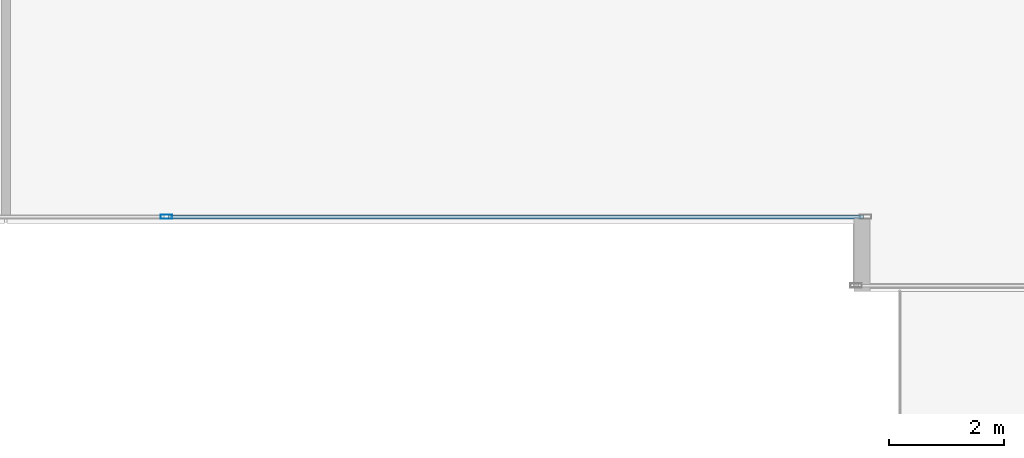
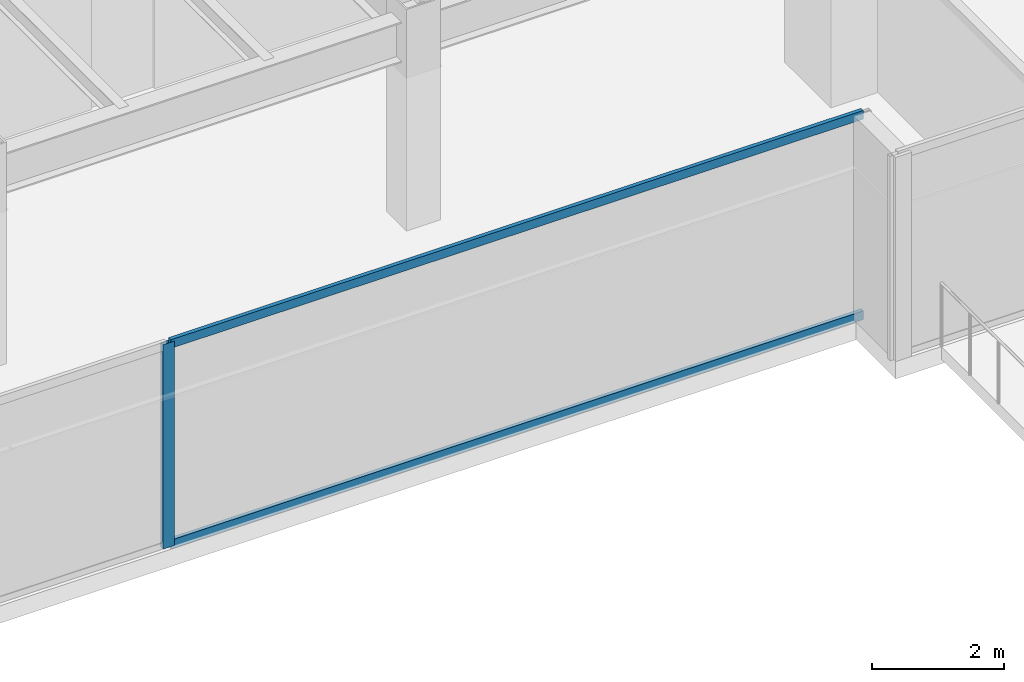
# One storey, part 8 of 32: 3 members, 1 element without a shape of its own.
"""IFC4 building model written with IfcOpenShell, lengths in metres."""

import ifcopenshell
import ifcopenshell.guid

model = None  # the IFC model being written
_history = None  # IfcOwnerHistory: only IFC2X3 demands one
_inside = {}  # id of a spatial element -> (the spatial element, [elements in it])
_under = {}  # id of a project, library or spatial element -> (it, [spatial elements below it])
_declared = {}  # id of a project -> (the project, [libraries it declares])
_typed = {}  # id of a type object -> (the type object, [elements of that type])
_made_of = {}  # id of a material, layer set ... -> (it, [elements and type objects made of it])


def new_model(schema):
    """Start an empty IFC model of exactly this schema.

    Asked for "IFC4X3", IfcOpenShell would pick the latest addendum, in which some entities
    have other attributes; the version numbers below select the first issue.
    IFC2X3 requires an IfcOwnerHistory on every rooted entity: one is made here for all.
    """
    global model, _history
    if schema == "IFC4X3":
        model = ifcopenshell.file(schema_version=(4, 3, 0, 0))
    else:
        model = ifcopenshell.file(schema=schema)
    _inside.clear()
    _under.clear()
    _declared.clear()
    _typed.clear()
    _made_of.clear()
    _history = None
    if model.schema == "IFC2X3":
        org = make("IfcOrganization", Name="unknown")
        user = make(
            "IfcPersonAndOrganization",
            ThePerson=make("IfcPerson", FamilyName="unknown"),
            TheOrganization=org,
        )
        app = make(
            "IfcApplication",
            ApplicationDeveloper=org,
            Version="unknown",
            ApplicationFullName="unknown",
            ApplicationIdentifier="unknown",
        )
        _history = make(
            "IfcOwnerHistory",
            OwningUser=user,
            OwningApplication=app,
            ChangeAction="ADDED",
            CreationDate=0,
        )
    return model


def make(cls, **values):
    """One entity of the class cls with the attributes given. An attribute that is None is left unset."""
    return model.create_entity(
        cls, **{name: value for name, value in values.items() if value is not None}
    )


def rooted(cls, **values):
    """An entity with a GlobalId (a new one), such as an element, a storey or a relation."""
    return make(cls, GlobalId=ifcopenshell.guid.new(), OwnerHistory=_history, **values)


def si_unit(unit_type, name, prefix=None):
    """IfcSIUnit, for example si_unit("LENGTHUNIT", "METRE", prefix="MILLI")."""
    return make("IfcSIUnit", UnitType=unit_type, Prefix=prefix, Name=name)


def assignment(units):
    """IfcUnitAssignment: the units of a project."""
    return None if units is None else make("IfcUnitAssignment", Units=units)


def point(xyz):
    """IfcCartesianPoint."""
    return None if xyz is None else make("IfcCartesianPoint", Coordinates=xyz)


def direction(xyz):
    """IfcDirection."""
    return None if xyz is None else make("IfcDirection", DirectionRatios=xyz)


def frame(location, z_axis=None, x_axis=None):
    """IfcAxis2Placement3D, a coordinate frame: its origin and axes. An axis left out is left unset."""
    return make(
        "IfcAxis2Placement3D",
        Location=point(location),
        Axis=direction(z_axis),
        RefDirection=direction(x_axis),
    )


def frame_2d(location, x_axis=None):
    """IfcAxis2Placement2D, a coordinate frame in the plane: its origin and x axis."""
    return make(
        "IfcAxis2Placement2D", Location=point(location), RefDirection=direction(x_axis)
    )


def origin():
    """The frame at (0, 0, 0) with its axes left unset."""
    return frame((0.0, 0.0, 0.0))


def origin_2d():
    """The frame at (0, 0) in the plane with its x axis left unset."""
    return frame_2d((0.0, 0.0))


def place(relative_to, where):
    """IfcLocalPlacement: puts the frame where relative to a parent placement (None: the world)."""
    return make(
        "IfcLocalPlacement", PlacementRelTo=relative_to, RelativePlacement=where
    )


def context(
    kind, dimensions, precision=None, world=None, true_north=None, identifier=None
):
    """IfcGeometricRepresentationContext, for example the 3D "Model" context."""
    return make(
        "IfcGeometricRepresentationContext",
        ContextIdentifier=identifier,
        ContextType=kind,
        CoordinateSpaceDimension=dimensions,
        Precision=precision,
        WorldCoordinateSystem=world,
        TrueNorth=true_north,
    )


def subcontext(parent, identifier, kind, view, scale=None):
    """IfcGeometricRepresentationSubContext, for example "Body" below "Model"."""
    return make(
        "IfcGeometricRepresentationSubContext",
        ContextIdentifier=identifier,
        ContextType=kind,
        ParentContext=parent,
        TargetScale=scale,
        TargetView=view,
    )


def project(units=None, contexts=None):
    """IfcProject with its units and contexts."""
    return rooted(
        "IfcProject",
        Name="project",
        RepresentationContexts=contexts,
        UnitsInContext=assignment(units),
    )


def spatial(cls, under=None, at=None, **own):
    """A site, building, storey or space (cls), placed at a placement, below another one or the project."""
    s = rooted(cls, ObjectPlacement=at, **own)
    if under is not None:
        _under.setdefault(under.id(), (under, []))[1].append(s)
    return s


def profile(cls, at=None, kind="AREA", **sizes):
    """A parametric profile (cls). Its sizes go by their IFC names, for example OverallWidth=200.0."""
    return make(cls, ProfileType=kind, Position=at, **sizes)


def hollow_rectangle(**sizes):
    """IfcRectangleHollowProfileDef."""
    return profile("IfcRectangleHollowProfileDef", **sizes)


def extrude(swept, where, along, depth):
    """IfcExtrudedAreaSolid: the profile swept, set in the frame where, extruded along a direction by depth."""
    return make(
        "IfcExtrudedAreaSolid",
        SweptArea=swept,
        Position=where,
        ExtrudedDirection=direction(along),
        Depth=depth,
    )


def shape(context_of_items, identifier, shape_type, items):
    """IfcShapeRepresentation: the items that make up one representation, for example the "Body"."""
    return make(
        "IfcShapeRepresentation",
        ContextOfItems=context_of_items,
        RepresentationIdentifier=identifier,
        RepresentationType=shape_type,
        Items=items,
    )


def source(mapping_origin, context_of_items, identifier, shape_type, items):
    """IfcRepresentationMap: a shape defined once, which mapped items show again and again."""
    return make(
        "IfcRepresentationMap",
        MappingOrigin=mapping_origin,
        MappedRepresentation=shape(context_of_items, identifier, shape_type, items),
    )


def transform(
    local_origin,
    x_axis=None,
    y_axis=None,
    z_axis=None,
    scale=None,
    scale2=None,
    scale3=None,
    uniform=True,
):
    """IfcCartesianTransformationOperator3D, or its non-uniform kind. x_axis, y_axis, z_axis: its Axis1, 2, 3."""
    if uniform:
        return make(
            "IfcCartesianTransformationOperator3D",
            Axis1=direction(x_axis),
            Axis2=direction(y_axis),
            LocalOrigin=point(local_origin),
            Scale=scale,
            Axis3=direction(z_axis),
        )
    return make(
        "IfcCartesianTransformationOperator3DnonUniform",
        Axis1=direction(x_axis),
        Axis2=direction(y_axis),
        LocalOrigin=point(local_origin),
        Scale=scale,
        Axis3=direction(z_axis),
        Scale2=scale2,
        Scale3=scale3,
    )


def mapped(mapping_source, mapping_target):
    """IfcMappedItem: shows the shape of a source again, moved by a transform."""
    return make(
        "IfcMappedItem", MappingSource=mapping_source, MappingTarget=mapping_target
    )


def material(Name=None, Category=None):
    """IfcMaterial."""
    return make("IfcMaterial", Name=Name, Category=Category)


def layer(
    of_material, thickness, ventilated=None, Name=None, Category=None, Priority=None
):
    """IfcMaterialLayer: one layer of a wall or slab, of a material (None: an air gap)."""
    return make(
        "IfcMaterialLayer",
        Material=of_material,
        LayerThickness=thickness,
        IsVentilated=ventilated,
        Name=Name,
        Category=Category,
        Priority=Priority,
    )


def layer_set(layers, Name=None):
    """IfcMaterialLayerSet."""
    return make("IfcMaterialLayerSet", MaterialLayers=layers, LayerSetName=Name)


def material_profile(
    of_material, cross_section, Name=None, Category=None, Priority=None
):
    """IfcMaterialProfile: a cross section and its material."""
    return make(
        "IfcMaterialProfile",
        Name=Name,
        Material=of_material,
        Profile=cross_section,
        Priority=Priority,
        Category=Category,
    )


def profile_set(profiles, Name=None, composite=None):
    """IfcMaterialProfileSet."""
    return make(
        "IfcMaterialProfileSet",
        Name=Name,
        MaterialProfiles=profiles,
        CompositeProfile=composite,
    )


def made_of(thing, what):
    """Note that an element or type object is made of a material, layer set ...; save() writes the relation."""
    if what is not None:
        _made_of.setdefault(what.id(), (what, []))[1].append(thing)
    return thing


def type_object(cls, material=None, **own):
    """A type object (cls), such as IfcWallType, which elements share."""
    return made_of(rooted(cls, **own), material)


def type_shapes(of_type, sources):
    """Give a type object the sources (RepresentationMaps) that its elements show as mapped items."""
    of_type.RepresentationMaps = sources


def element(
    cls,
    number,
    at=None,
    inside=None,
    cuts=None,
    type_object=None,
    material=None,
    context=None,
    identifier="Body",
    shape_type=None,
    held_by="IfcProductDefinitionShape",
    body=None,
    shapes=None,
    **own,
):
    """One element of the class cls, such as IfcWall. Its Tag is "e" and its number.

    at: its placement. inside: the storey or other place that contains it. cuts: it is an
    opening in that element (IfcRelVoidsElement). A single representation is given by context,
    identifier, shape_type and body (its items); several are given by shapes. held_by: the class
    of the entity that holds the representations. save() writes the other relations.
    """
    e = rooted(cls, Tag="e%d" % number, ObjectPlacement=at, **own)
    if body is not None:
        shapes = [shape(context, identifier, shape_type, body)]
    if shapes is not None:
        e.Representation = make(held_by, Representations=shapes)
    if inside is not None:
        _inside.setdefault(inside.id(), (inside, []))[1].append(e)
    if cuts is not None:
        rooted(
            "IfcRelVoidsElement", RelatingBuildingElement=cuts, RelatedOpeningElement=e
        )
    if type_object is not None:
        _typed.setdefault(type_object.id(), (type_object, []))[1].append(e)
    return made_of(e, material)


def aggregate(whole, parts):
    """IfcRelAggregates: a whole, such as a stair, and the parts it consists of."""
    return rooted("IfcRelAggregates", RelatingObject=whole, RelatedObjects=parts)


def save(model, path):
    """Write the relations noted so far, then the file.

    IfcRelAggregates (storeys below a building ...), IfcRelContainedInSpatialStructure (elements
    in a storey), IfcRelDefinesByType, IfcRelAssociatesMaterial and IfcRelDeclares: one each for
    every whole, place, type object, material and project.
    """
    for whole, parts in _under.values():
        aggregate(whole, parts)
    for where, things in _inside.values():
        rooted(
            "IfcRelContainedInSpatialStructure",
            RelatedElements=things,
            RelatingStructure=where,
        )
    for kind, things in _typed.values():
        rooted("IfcRelDefinesByType", RelatedObjects=things, RelatingType=kind)
    for what, things in _made_of.values():
        rooted("IfcRelAssociatesMaterial", RelatedObjects=things, RelatingMaterial=what)
    for by, libraries in _declared.values():
        rooted("IfcRelDeclares", RelatingContext=by, RelatedDefinitions=libraries)
    model.write(path)


model = new_model("IFC4")

# Units and contexts
model_context = context("Model", 3, precision=1e-05, world=origin(), true_north=direction((0.0, 1.0)))
body_context = subcontext(model_context, "Body", "Model", "MODEL_VIEW")
ifc_project = project(units=[si_unit("LENGTHUNIT", "METRE"), si_unit("AREAUNIT", "SQUARE_METRE"), si_unit("VOLUMEUNIT", "CUBIC_METRE"), si_unit("PLANEANGLEUNIT", "RADIAN"), si_unit("MASSUNIT", "GRAM", prefix="KILO")], contexts=[model_context])

# Site, building, storey
site_placement = place(None, origin())
site = spatial("IfcSite", under=ifc_project, at=site_placement, CompositionType="ELEMENT")
building_placement = place(site_placement, origin())
building = spatial("IfcBuilding", under=site, at=building_placement, Name="Haelvirn Gate Laboratories", CompositionType="ELEMENT")
storey_placement = place(building_placement, frame((0.0, 0.0, 33.39990234375)))
storey = spatial("IfcBuildingStorey", under=building, at=storey_placement, Name="L08", CompositionType="ELEMENT", Elevation=33.39990234375)

# Curtain wall, members
ifc_material_1 = material(Name="Anodised bronze unitised aluminium & triple low-E glass", Category="aluminium")
ifc_layer = layer(ifc_material_1, 0.18408203125, Name="CW-SYS-2")
ifc_layer_set = layer_set([ifc_layer], Name="Anodised bronze unitised aluminium & triple low-E glass")
curtain_wall_type = type_object("IfcCurtainWallType", Name="CW-SYS-2", PredefinedType="NOTDEFINED", material=ifc_layer_set)
curtain_wall_placement = place(storey_placement, origin())
curtain_wall = element("IfcCurtainWall", 1, at=curtain_wall_placement, inside=storey, type_object=curtain_wall_type, Name="L08 Unitised Curtain Wall CW-L08-P0-E02-1", PredefinedType="NOTDEFINED")
ifc_material_2 = material(Name="Extruded aluminium 6063-T6 (anodised bronze)", Category="aluminium")
ifc_material_profile_1 = material_profile(ifc_material_2, hollow_rectangle(XDim=0.074951171875, YDim=0.199951171875, WallThickness=0.0048828125, at=origin_2d()), Name="CWM-200x75x5")
ifc_profile_set_1 = profile_set([ifc_material_profile_1], Name="Extruded aluminium 6063-T6 (anodised bronze)")
member_type_1 = type_object("IfcMemberType", Name="CWM-T200", PredefinedType="MULLION", material=ifc_profile_set_1)
shared_shape_1 = source(origin(), body_context, "Body", "SweptSolid", [
    extrude(hollow_rectangle(XDim=0.074951171875, YDim=0.199951171875, WallThickness=0.0048828125, at=origin_2d()), origin(), (0.0, 0.0, 1.0), 3.780029296875),
])
type_shapes(member_type_1, [shared_shape_1])
member_1_placement = place(storey_placement, frame((37.39990234375, 1.300048828125, 0.0), z_axis=(0.0, 0.0, 1.0), x_axis=(0.0, 1.0, 0.0)))
member_1 = element("IfcMember", 2, at=member_1_placement, type_object=member_type_1, Name="CW2 mullion 2", PredefinedType="MULLION", context=body_context, shape_type="MappedRepresentation", body=[
    mapped(shared_shape_1, transform((0.0, 0.0, 0.0), scale=1.0)),
])
ifc_material_profile_2 = material_profile(ifc_material_2, hollow_rectangle(XDim=0.070068359375, YDim=0.159912109375, WallThickness=0.0048828125, at=origin_2d()), Name="CWT-160x70x5")
ifc_profile_set_2 = profile_set([ifc_material_profile_2], Name="Extruded aluminium 6063-T6 (anodised bronze)")
member_type_2 = type_object("IfcMemberType", Name="CWT-T160", PredefinedType="USERDEFINED", material=ifc_profile_set_2)
shared_shape_2 = source(origin(), body_context, "Body", "SweptSolid", [
    extrude(hollow_rectangle(XDim=0.070068359375, YDim=0.159912109375, WallThickness=0.0048828125, at=origin_2d()), origin(), (0.0, 0.0, 1.0), 12.12744140625),
])
type_shapes(member_type_2, [shared_shape_2])
member_2_placement = place(storey_placement, frame((37.4375, 1.300048828125, 0.03515625), z_axis=(1.0, 0.0, 0.0), x_axis=(0.0, 1.0, 0.0)))
member_2 = element("IfcMember", 3, at=member_2_placement, type_object=member_type_2, Name="CW2 transom 2.1", ObjectType="TRANSOM", PredefinedType="USERDEFINED", context=body_context, shape_type="MappedRepresentation", body=[
    mapped(shared_shape_2, transform((0.0, 0.0, 0.0), scale=1.0)),
])
member_3_placement = place(storey_placement, frame((37.4375, 1.300048828125, 3.7451171875), z_axis=(1.0, 0.0, 0.0), x_axis=(0.0, 1.0, 0.0)))
member_3 = element("IfcMember", 4, at=member_3_placement, type_object=member_type_2, Name="CW2 transom 2.2", ObjectType="TRANSOM", PredefinedType="USERDEFINED", context=body_context, shape_type="MappedRepresentation", body=[
    mapped(shared_shape_2, transform((0.0, 0.0, 0.0), scale=1.0)),
])
aggregate(curtain_wall, [member_1, member_2, member_3])

save(model, "model.ifc")
